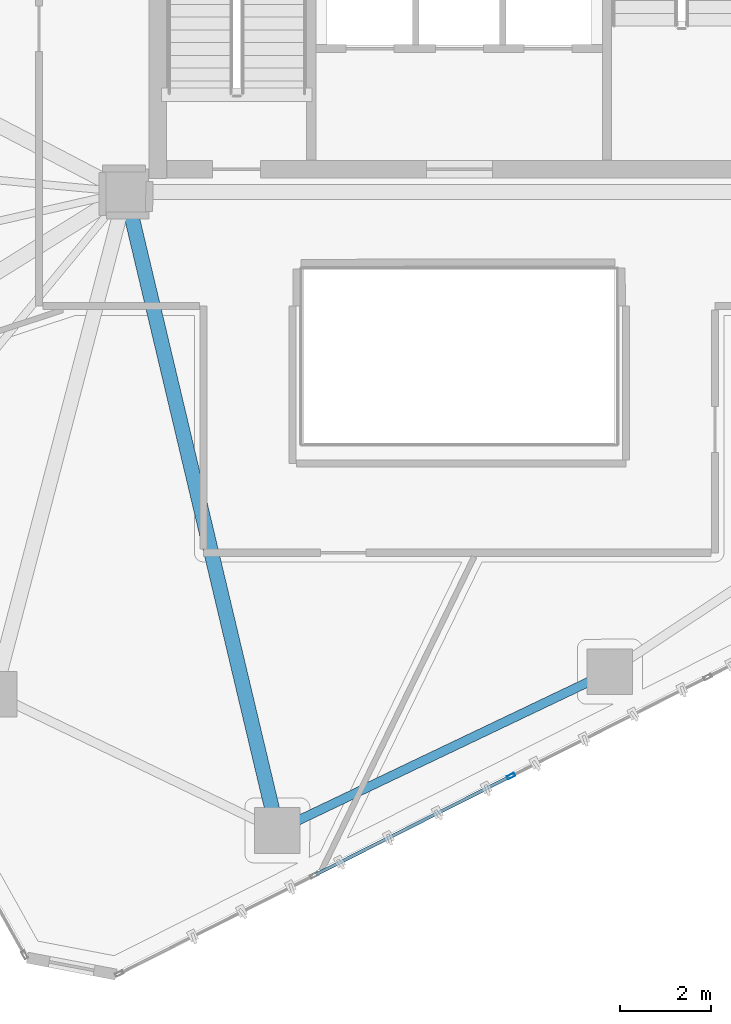
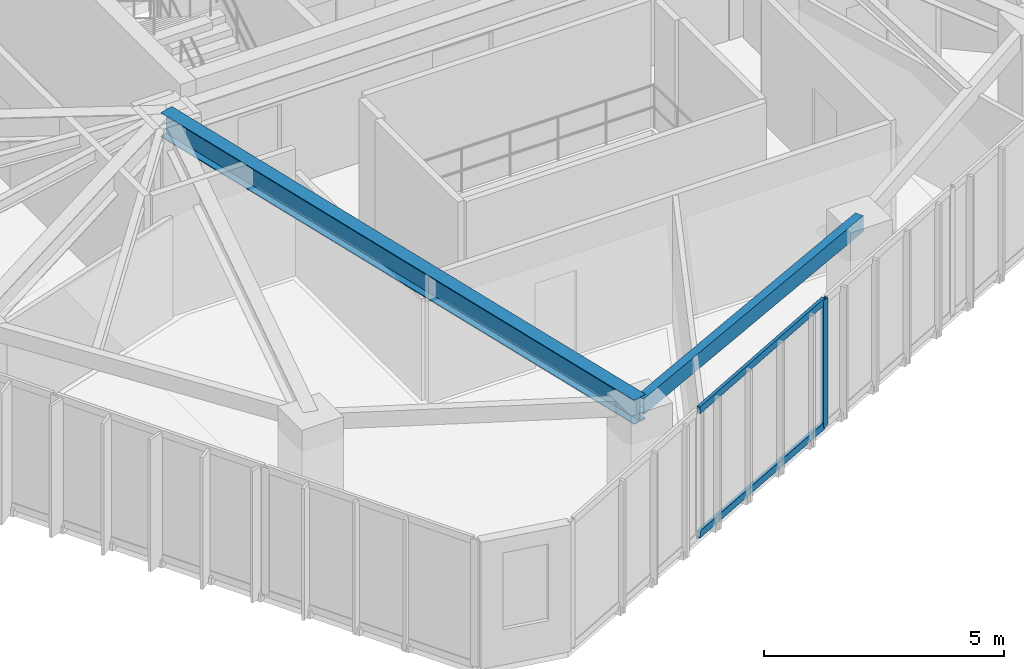
# One storey, part 4 of 20: 3 members, 2 beams, 1 element without a shape of its own.
"""IFC4 building model written with IfcOpenShell, lengths in metres."""

from ifc_helpers import new_model, si_unit, direction, frame, origin, origin_2d, place, context, subcontext, project, spatial, hollow_rectangle, i_section, extrude, source, transform, mapped, material, layer, layer_set, material_profile, profile_set, type_object, type_shapes, element, aggregate, save


model = new_model("IFC4")

# Units and contexts
model_context = context("Model", 3, precision=1e-05, world=origin(), true_north=direction((0.0, 1.0)))
body_context = subcontext(model_context, "Body", "Model", "MODEL_VIEW")
ifc_project = project(units=[si_unit("LENGTHUNIT", "METRE"), si_unit("AREAUNIT", "SQUARE_METRE"), si_unit("VOLUMEUNIT", "CUBIC_METRE"), si_unit("PLANEANGLEUNIT", "RADIAN"), si_unit("MASSUNIT", "GRAM", prefix="KILO")], contexts=[model_context])

# Site, building, storey
site_placement = place(None, origin())
site = spatial("IfcSite", under=ifc_project, at=site_placement, CompositionType="ELEMENT")
building_placement = place(site_placement, origin())
building = spatial("IfcBuilding", under=site, at=building_placement, Name="Talar Marvaseh", CompositionType="ELEMENT")
storey_placement = place(building_placement, frame((0.0, 0.0, 170.5)))
storey = spatial("IfcBuildingStorey", under=building, at=storey_placement, Name="L44", CompositionType="ELEMENT", Elevation=170.5)

# Beams
ifc_material_1 = material(Name="Steel S355", Category="steel")
ifc_material_profile_1 = material_profile(ifc_material_1, hollow_rectangle(XDim=0.199951171875, YDim=0.39990234375, WallThickness=0.013916015625, at=origin_2d()), Name="RHS400x200x14")
ifc_profile_set_1 = profile_set([ifc_material_profile_1], Name="Steel S355")
beam_type_1 = type_object("IfcBeamType", Name="Zone 3 Perimeter Spandrel Beam RHS400x200x14", PredefinedType="SPANDREL", material=ifc_profile_set_1)
beam_1_placement = place(storey_placement, frame((29.299072265625, 14.993896484375, 3.030029296875), z_axis=(-0.902562267408, -0.430559349511, 0.0), x_axis=(0.430559349511, -0.902562267408, 0.0)))
element("IfcBeam", 1, at=beam_1_placement, inside=storey, type_object=beam_type_1, Name="L44 Zone 3 Perimeter Spandrel Beam RHS400x200x14", PredefinedType="SPANDREL", context=body_context, shape_type="SweptSolid", body=[
    extrude(hollow_rectangle(XDim=0.199951171875, YDim=0.39990234375, WallThickness=0.013916015625, at=origin_2d()), origin(), (0.0, 0.0, 1.0), 8.070556640625),
])
ifc_material_profile_2 = material_profile(ifc_material_1, i_section(OverallWidth=0.324951171875, OverallDepth=0.615966796875, WebThickness=0.013916015625, FlangeThickness=0.021484375, at=origin_2d()), Name="W610x174")
ifc_profile_set_2 = profile_set([ifc_material_profile_2], Name="Steel S355")
beam_type_2 = type_object("IfcBeamType", Name="Zone 3 Radial Floor Girder W610x174", PredefinedType="BEAM", material=ifc_profile_set_2)
beam_2_placement = place(storey_placement, frame((22.014892578125, 11.51904296875, 2.922119140625), z_axis=(-0.230707708791, 0.973023099985, 0.0), x_axis=(-0.973023099985, -0.230707708791, 0.0)))
element("IfcBeam", 2, at=beam_2_placement, inside=storey, type_object=beam_type_2, Name="L44 Zone 3 Radial Floor Girder W610x174", PredefinedType="BEAM", context=body_context, shape_type="SweptSolid", body=[
    extrude(i_section(OverallWidth=0.324951171875, OverallDepth=0.615966796875, WebThickness=0.013916015625, FlangeThickness=0.021484375, at=origin_2d()), origin(), (0.0, 0.0, 1.0), 14.36865234375),
])

# Curtain wall, members
ifc_material_2 = material(Name="Architectural Aluminium", Category="aluminium")
ifc_layer = layer(ifc_material_2, 0.18994140625)
ifc_layer_set = layer_set([ifc_layer], Name="Architectural Aluminium")
curtain_wall_type = type_object("IfcCurtainWallType", Name="Unitised Solar Atelier Curtain Wall Z3", PredefinedType="NOTDEFINED", material=ifc_layer_set)
curtain_wall_placement = place(storey_placement, origin())
curtain_wall = element("IfcCurtainWall", 3, at=curtain_wall_placement, inside=storey, type_object=curtain_wall_type, Name="L44 Unitised Solar Atelier Curtain Wall Z3", PredefinedType="NOTDEFINED")
ifc_material_profile_3 = material_profile(ifc_material_2, hollow_rectangle(XDim=0.074951171875, YDim=0.179931640625, WallThickness=0.0048828125, at=origin_2d()), Name="RHS180x75x5")
ifc_profile_set_3 = profile_set([ifc_material_profile_3], Name="Architectural Aluminium")
member_type_1 = type_object("IfcMemberType", Name="Unitised Curtain Wall Standard Mullion RHS180x75x5", PredefinedType="MULLION", material=ifc_profile_set_3)
shared_shape_1 = source(origin(), body_context, "Body", "SweptSolid", [
    extrude(hollow_rectangle(XDim=0.074951171875, YDim=0.179931640625, WallThickness=0.0048828125, at=origin_2d()), origin(), (0.0, 0.0, 1.0), 3.22998046875),
])
type_shapes(member_type_1, [shared_shape_1])
member_1_placement = place(storey_placement, frame((27.134033203125, 12.70947265625, 0.0), z_axis=(0.0, 0.0, 1.0), x_axis=(0.450234656041, -0.892910272367, 0.0)))
member_1 = element("IfcMember", 4, at=member_1_placement, type_object=member_type_1, Name="CW-Z3 mullion 3", PredefinedType="MULLION", context=body_context, shape_type="MappedRepresentation", body=[
    mapped(shared_shape_1, transform((0.0, 0.0, 0.0), x_axis=(1.0, 0.0, 0.0), y_axis=(0.0, 1.0, 0.0), z_axis=(0.0, 0.0, 1.0), scale=1.0)),
])
ifc_material_profile_4 = material_profile(ifc_material_2, hollow_rectangle(XDim=0.074951171875, YDim=0.179931640625, WallThickness=0.0048828125, at=origin_2d()), Name="RHS180x75x5")
ifc_profile_set_4 = profile_set([ifc_material_profile_4], Name="Architectural Aluminium")
member_type_2 = type_object("IfcMemberType", Name="Unitised Curtain Wall Transom RHS180x75x5", PredefinedType="USERDEFINED", material=ifc_profile_set_4)
shared_shape_2 = source(origin(), body_context, "Body", "SweptSolid", [
    extrude(hollow_rectangle(XDim=0.074951171875, YDim=0.179931640625, WallThickness=0.0048828125, at=origin_2d()), origin(), (0.0, 0.0, 1.0), 4.747314453125),
])
type_shapes(member_type_2, [shared_shape_2])
member_2_placement = place(storey_placement, frame((27.1005859375, 12.692626953125, 0.03759765625), z_axis=(-0.89289972888, -0.450255565392, 0.0), x_axis=(0.450255565392, -0.89289972888, 0.0)))
member_2 = element("IfcMember", 5, at=member_2_placement, type_object=member_type_2, Name="CW-Z3 transom 3.1", ObjectType="TRANSOM", PredefinedType="USERDEFINED", context=body_context, shape_type="MappedRepresentation", body=[
    mapped(shared_shape_2, transform((0.0, 0.0, 0.0), x_axis=(1.0, 0.0, 0.0), y_axis=(0.0, 1.0, 0.0), z_axis=(0.0, 0.0, 1.0), scale=1.0)),
])
member_3_placement = place(storey_placement, frame((27.1005859375, 12.692626953125, 3.1923828125), z_axis=(-0.89289972888, -0.450255565392, 0.0), x_axis=(0.450255565392, -0.89289972888, 0.0)))
member_3 = element("IfcMember", 6, at=member_3_placement, type_object=member_type_2, Name="CW-Z3 transom 3.2", ObjectType="TRANSOM", PredefinedType="USERDEFINED", context=body_context, shape_type="MappedRepresentation", body=[
    mapped(shared_shape_2, transform((0.0, 0.0, 0.0), x_axis=(1.0, 0.0, 0.0), y_axis=(0.0, 1.0, 0.0), z_axis=(0.0, 0.0, 1.0), scale=1.0)),
])
aggregate(curtain_wall, [member_1, member_2, member_3])

save(model, "model.ifc")
